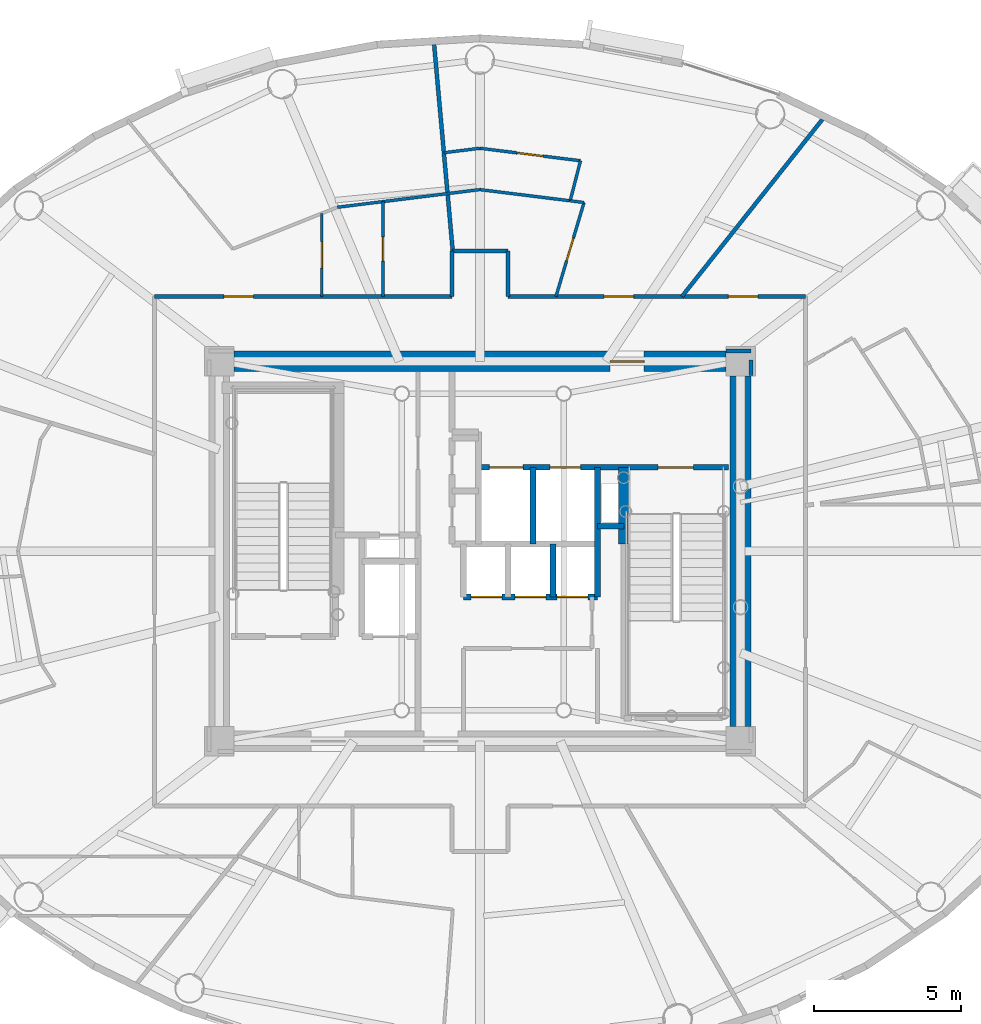
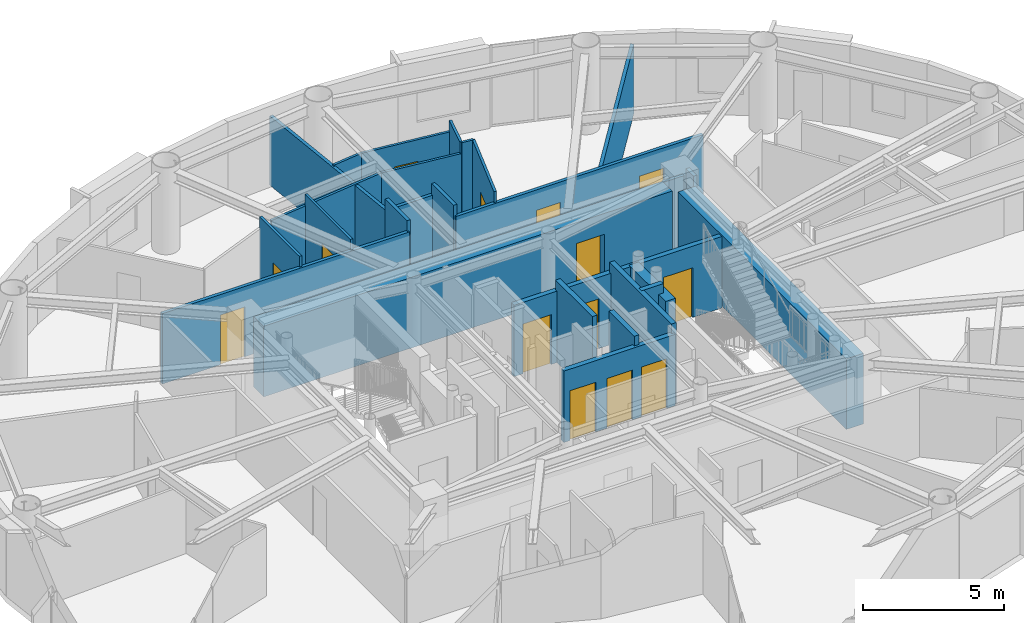
# One storey, part 8 of 17: 27 walls, 14 doors, 14 openings.
"""IFC4 building model written with IfcOpenShell, lengths in metres."""

from ifc_helpers import new_model, si_unit, direction, frame, frame_2d, origin, origin_2d, place, context, subcontext, project, spatial, rectangle, extrude, source, transform, mapped, material, layer, layer_set, type_object, element, fill, save


model = new_model("IFC4")

# Units and contexts
model_context = context("Model", 3, precision=1e-05, world=origin(), true_north=direction((0.0, 1.0)))
body_context = subcontext(model_context, "Body", "Model", "MODEL_VIEW")
ifc_project = project(units=[si_unit("LENGTHUNIT", "METRE"), si_unit("AREAUNIT", "SQUARE_METRE"), si_unit("VOLUMEUNIT", "CUBIC_METRE"), si_unit("PLANEANGLEUNIT", "RADIAN"), si_unit("MASSUNIT", "GRAM", prefix="KILO")], contexts=[model_context])

# Site, building, storey
site_placement = place(None, origin())
site = spatial("IfcSite", under=ifc_project, at=site_placement, CompositionType="ELEMENT")
building_placement = place(site_placement, origin())
building = spatial("IfcBuilding", under=site, at=building_placement, Name="Linh Dai School and Residence Tower", CompositionType="ELEMENT")
storey_placement = place(building_placement, frame((0.0, 0.0, 276.75)))
storey = spatial("IfcBuildingStorey", under=building, at=storey_placement, Name="L68", CompositionType="ELEMENT", Elevation=276.75)

# Wall, opening, door
ifc_material_1 = material(Name="Autoclaved Aerated Concrete Blockwork", Category="masonry")
ifc_layer_1 = layer(ifc_material_1, 0.135009765625)
ifc_layer_set_1 = layer_set([ifc_layer_1], Name="Autoclaved Aerated Concrete Blockwork")
wall_type_1 = type_object("IfcWallType", Name="IW-CORR-135-EI90", PredefinedType="PARTITIONING", material=ifc_layer_set_1)
wall_1_placement = place(storey_placement, frame((24.949951171875, 35.64990234375, 0.0), z_axis=(0.0, 0.0, 1.0), x_axis=(1.0, 0.0, 0.0)))
wall_1 = element("IfcWall", 1, at=wall_1_placement, inside=storey, type_object=wall_type_1, Name="L68 Interior Partition Wall 015", PredefinedType="PARTITIONING", context=body_context, shape_type="SweptSolid", body=[
    extrude(rectangle(XDim=10.10009765625, YDim=0.135009765625, at=frame_2d((5.050048828125, 0.0))), origin(), (0.0, 0.0, 1.0), 3.034912109375),
])
opening_1_placement = place(wall_1_placement, frame((2.361572265625, 0.0, 0.0)))
opening_1 = element("IfcOpeningElement", 2, at=opening_1_placement, cuts=wall_1, Name="Opening D03", PredefinedType="OPENING", context=body_context, shape_type="SweptSolid", body=[
    extrude(rectangle(XDim=1.0, YDim=2.14990234375, at=origin_2d()), frame((0.5, 0.07763671875, 1.074951171875), z_axis=(0.0, -1.0, 0.0), x_axis=(1.0, 0.0, 0.0)), (0.0, 0.0, 1.0), 0.155029296875),
])
ifc_material_2 = material(Name="Fire-Rated Solid Timber Entrance Door", Category="wood")
door_type_1 = type_object("IfcDoorType", Name="DR-FLAT-1000x2150-FD60S", OperationType="NOTDEFINED", PredefinedType="DOOR", material=ifc_material_2)
shared_shape_1 = source(origin(), body_context, "Body", "SweptSolid", [
    extrude(rectangle(XDim=1.0, YDim=2.14990234375, at=origin_2d()), frame((0.5, 0.02490234375, 1.074951171875), z_axis=(0.0, -1.0, 0.0), x_axis=(1.0, 0.0, 0.0)), (0.0, 0.0, 1.0), 0.050048828125),
])
door_1_placement = place(opening_1_placement, origin())
door_1 = element("IfcDoor", 3, at=door_1_placement, inside=storey, type_object=door_type_1, Name="L68 U6803 Apartment Entrance Door", OperationType="SINGLE_SWING_RIGHT", OverallHeight=2.14990234375, OverallWidth=1.0, PredefinedType="DOOR", context=body_context, shape_type="MappedRepresentation", body=[
    mapped(shared_shape_1, transform((0.0, 0.0, 0.0), x_axis=(1.0, 0.0, 0.0), y_axis=(0.0, 1.0, 0.0), z_axis=(0.0, 0.0, 1.0), scale=1.0)),
])
fill(opening_1, door_1)

# Walls
wall_2_placement = place(storey_placement, frame((34.436279296875, 44.32373046875, 0.0), z_axis=(0.0, 0.0, 1.0), x_axis=(0.089904837352, -0.99595036032, 0.0)))
element("IfcWall", 4, at=wall_2_placement, inside=storey, type_object=wall_type_1, Name="L68 Interior Partition Wall 032", PredefinedType="PARTITIONING", context=body_context, shape_type="SweptSolid", body=[
    extrude(rectangle(XDim=7.15283203125, YDim=0.135009765625, at=frame_2d((3.576416015625, 0.0))), origin(), (0.0, 0.0, 1.0), 2.985107421875),
])
wall_3_placement = place(storey_placement, frame((35.050048828125, 35.64990234375, 0.0), z_axis=(0.0, 0.0, 1.0), x_axis=(0.0, 1.0, 0.0)))
element("IfcWall", 5, at=wall_3_placement, inside=storey, type_object=wall_type_1, Name="L68 Interior Partition Wall 043", PredefinedType="PARTITIONING", context=body_context, shape_type="SweptSolid", body=[
    extrude(rectangle(XDim=1.550048828125, YDim=0.135009765625, at=frame_2d((0.77490234375, 0.0))), origin(), (0.0, 0.0, 1.0), 3.5),
])
wall_4_placement = place(storey_placement, frame((35.079345703125, 37.199951171875, 0.0), z_axis=(0.0, 0.0, 1.0), x_axis=(1.0, 0.0, 0.0)))
element("IfcWall", 6, at=wall_4_placement, inside=storey, type_object=wall_type_1, Name="L68 Interior Partition Wall 044", PredefinedType="PARTITIONING", context=body_context, shape_type="SweptSolid", body=[
    extrude(rectangle(XDim=1.87060546875, YDim=0.135009765625, at=frame_2d((0.935302734375, 0.0))), origin(), (0.0, 0.0, 1.0), 3.034912109375),
])
wall_5_placement = place(storey_placement, frame((36.949951171875, 35.64990234375, 0.0), z_axis=(0.0, 0.0, 1.0), x_axis=(0.0, 1.0, 0.0)))
element("IfcWall", 7, at=wall_5_placement, inside=storey, type_object=wall_type_1, Name="L68 Interior Partition Wall 055", PredefinedType="PARTITIONING", context=body_context, shape_type="SweptSolid", body=[
    extrude(rectangle(XDim=1.550048828125, YDim=0.135009765625, at=frame_2d((0.77490234375, 0.0))), origin(), (0.0, 0.0, 1.0), 3.5),
])

# Wall, openings, doors
wall_6_placement = place(storey_placement, frame((36.949951171875, 35.64990234375, 0.0), z_axis=(0.0, 0.0, 1.0), x_axis=(1.0, 0.0, 0.0)))
wall_6 = element("IfcWall", 8, at=wall_6_placement, inside=storey, type_object=wall_type_1, Name="L68 Interior Partition Wall 056", PredefinedType="PARTITIONING", context=body_context, shape_type="SweptSolid", body=[
    extrude(rectangle(XDim=10.10009765625, YDim=0.135009765625, at=frame_2d((5.050048828125, 0.0))), origin(), (0.0, 0.0, 1.0), 3.034912109375),
])
opening_2_placement = place(wall_6_placement, frame((7.485595703125, 0.0, 0.0)))
opening_2 = element("IfcOpeningElement", 9, at=opening_2_placement, cuts=wall_6, Name="Opening D03", PredefinedType="OPENING", context=body_context, shape_type="SweptSolid", body=[
    extrude(rectangle(XDim=1.0, YDim=2.14990234375, at=origin_2d()), frame((0.5, 0.07763671875, 1.074951171875), z_axis=(0.0, -1.0, 0.0), x_axis=(1.0, 0.0, 0.0)), (0.0, 0.0, 1.0), 0.155029296875),
])
opening_3_placement = place(wall_6_placement, frame((3.2724609375, 0.0, 0.0)))
opening_3 = element("IfcOpeningElement", 10, at=opening_3_placement, cuts=wall_6, Name="Opening D03", PredefinedType="OPENING", context=body_context, shape_type="SweptSolid", body=[
    extrude(rectangle(XDim=1.0, YDim=2.14990234375, at=origin_2d()), frame((0.5, 0.07763671875, 1.074951171875), z_axis=(0.0, -1.0, 0.0), x_axis=(1.0, 0.0, 0.0)), (0.0, 0.0, 1.0), 0.155029296875),
])
door_2_placement = place(opening_2_placement, origin())
door_2 = element("IfcDoor", 11, at=door_2_placement, inside=storey, type_object=door_type_1, Name="L68 U6801 Apartment Entrance Door", OperationType="SINGLE_SWING_RIGHT", OverallHeight=2.14990234375, OverallWidth=1.0, PredefinedType="DOOR", context=body_context, shape_type="MappedRepresentation", body=[
    mapped(shared_shape_1, transform((0.0, 0.0, 0.0), x_axis=(1.0, 0.0, 0.0), y_axis=(0.0, 1.0, 0.0), z_axis=(0.0, 0.0, 1.0), scale=1.0)),
])
fill(opening_2, door_2)
door_3_placement = place(opening_3_placement, origin())
door_3 = element("IfcDoor", 12, at=door_3_placement, inside=storey, type_object=door_type_1, Name="L68 U6802 Apartment Entrance Door", OperationType="SINGLE_SWING_LEFT", OverallHeight=2.14990234375, OverallWidth=1.0, PredefinedType="DOOR", context=body_context, shape_type="MappedRepresentation", body=[
    mapped(shared_shape_1, transform((0.0, 0.0, 0.0), x_axis=(1.0, 0.0, 0.0), y_axis=(0.0, 1.0, 0.0), z_axis=(0.0, 0.0, 1.0), scale=1.0)),
])
fill(opening_3, door_3)

# Walls
wall_7_placement = place(storey_placement, frame((42.861083984375, 35.64990234375, 0.0), z_axis=(0.0, 0.0, 1.0), x_axis=(0.621439784824, 0.783461928774, 0.0)))
element("IfcWall", 13, at=wall_7_placement, inside=storey, type_object=wall_type_1, Name="L68 Interior Partition Wall 069", PredefinedType="PARTITIONING", context=body_context, shape_type="SweptSolid", body=[
    extrude(rectangle(XDim=7.79638671875, YDim=0.135009765625, at=frame_2d((3.898193359375, 0.0))), origin(), (0.0, 0.0, 1.0), 2.985107421875),
])
wall_8_placement = place(storey_placement, frame((45.199951171875, 33.800048828125, 0.0), z_axis=(0.0, 0.0, 1.0), x_axis=(-1.0, 0.0, 0.0)))
element("IfcWall", 14, at=wall_8_placement, inside=storey, type_object=wall_type_1, Name="L68 Interior Partition Wall 087", PredefinedType="PARTITIONING", context=body_context, shape_type="SweptSolid", body=[
    extrude(rectangle(XDim=0.83984375, YDim=0.135009765625, at=frame_2d((0.419921875, 0.0))), origin(), (0.0, 0.0, 1.0), 3.034912109375),
])
wall_9_placement = place(storey_placement, frame((45.199951171875, 32.9599609375, 0.0), z_axis=(0.0, 0.0, 1.0), x_axis=(0.0, 1.0, 0.0)))
element("IfcWall", 15, at=wall_9_placement, inside=storey, type_object=wall_type_1, Name="L68 Interior Partition Wall 094", PredefinedType="PARTITIONING", context=body_context, shape_type="SweptSolid", body=[
    extrude(rectangle(XDim=0.532470703125, YDim=0.135009765625, at=frame_2d((0.26611328125, 0.0))), origin(), (0.0, 0.0, 1.0), 3.5),
])

# Wall, openings, doors
ifc_material_3 = material(Name="Concrete B45 (C35/45)", Category="concrete")
ifc_layer_2 = layer(ifc_material_3, 0.199951171875)
ifc_layer_set_2 = layer_set([ifc_layer_2], Name="Concrete B45 (C35/45)")
wall_type_2 = type_object("IfcWallType", Name="IW-SHAFT-200-EI120", PredefinedType="PARTITIONING", material=ifc_layer_set_2)
wall_10_placement = place(storey_placement, frame((35.449951171875, 25.449951171875, 0.0), z_axis=(0.0, 0.0, 1.0), x_axis=(1.0, 0.0, 0.0)))
wall_10 = element("IfcWall", 16, at=wall_10_placement, inside=storey, type_object=wall_type_2, Name="L68 Interior Partition Wall 048", PredefinedType="PARTITIONING", context=body_context, shape_type="SweptSolid", body=[
    extrude(rectangle(XDim=4.550048828125, YDim=0.199951171875, at=frame_2d((2.27490234375, 0.0))), origin(), (0.0, 0.0, 1.0), 3.0849609375),
])
opening_4_placement = place(wall_10_placement, frame((0.25, 0.0, 0.0)))
opening_4 = element("IfcOpeningElement", 17, at=opening_4_placement, cuts=wall_10, Name="Opening LD-PL7", PredefinedType="OPENING", context=body_context, shape_type="SweptSolid", body=[
    extrude(rectangle(XDim=1.050048828125, YDim=2.14990234375, at=origin_2d()), frame((0.52490234375, 0.10986328125, 1.074951171875), z_axis=(0.0, -1.0, 0.0), x_axis=(1.0, 0.0, 0.0)), (0.0, 0.0, 1.0), 0.219970703125),
])
opening_5_placement = place(wall_10_placement, frame((1.7451171875, 0.0, 0.0)))
opening_5 = element("IfcOpeningElement", 18, at=opening_5_placement, cuts=wall_10, Name="Opening LD-PL8", PredefinedType="OPENING", context=body_context, shape_type="SweptSolid", body=[
    extrude(rectangle(XDim=1.050048828125, YDim=2.14990234375, at=origin_2d()), frame((0.52490234375, 0.10986328125, 1.074951171875), z_axis=(0.0, -1.0, 0.0), x_axis=(1.0, 0.0, 0.0)), (0.0, 0.0, 1.0), 0.219970703125),
])
opening_6_placement = place(wall_10_placement, frame((3.1650390625, 0.0, 0.0)))
opening_6 = element("IfcOpeningElement", 19, at=opening_6_placement, cuts=wall_10, Name="Opening LD-PL9", PredefinedType="OPENING", context=body_context, shape_type="SweptSolid", body=[
    extrude(rectangle(XDim=1.050048828125, YDim=2.14990234375, at=origin_2d()), frame((0.52490234375, 0.10986328125, 1.074951171875), z_axis=(0.0, -1.0, 0.0), x_axis=(1.0, 0.0, 0.0)), (0.0, 0.0, 1.0), 0.219970703125),
])
ifc_material_4 = material(Name="Brushed Stainless Steel Lift Landing Door", Category="steel")
door_type_2 = type_object("IfcDoorType", Name="DR-LD-PASS-1050x2150", OperationType="DOUBLE_DOOR_SLIDING", PredefinedType="USERDEFINED", material=ifc_material_4)
shared_shape_2 = source(origin(), body_context, "Body", "SweptSolid", [
    extrude(rectangle(XDim=1.050048828125, YDim=2.14990234375, at=origin_2d()), frame((0.52490234375, 0.02490234375, 1.074951171875), z_axis=(0.0, -1.0, 0.0), x_axis=(1.0, 0.0, 0.0)), (0.0, 0.0, 1.0), 0.050048828125),
])
door_4_placement = place(opening_4_placement, origin())
door_4 = element("IfcDoor", 20, at=door_4_placement, inside=storey, type_object=door_type_2, Name="L68 Lift PL7 Sliding Landing Door", ObjectType="LANDING DOOR", OperationType="DOUBLE_DOOR_SLIDING", OverallHeight=2.14990234375, OverallWidth=1.050048828125, PredefinedType="USERDEFINED", context=body_context, shape_type="MappedRepresentation", body=[
    mapped(shared_shape_2, transform((0.0, 0.0, 0.0), x_axis=(1.0, 0.0, 0.0), y_axis=(0.0, 1.0, 0.0), z_axis=(0.0, 0.0, 1.0), scale=1.0)),
])
fill(opening_4, door_4)
door_5_placement = place(opening_5_placement, origin())
door_5 = element("IfcDoor", 21, at=door_5_placement, inside=storey, type_object=door_type_2, Name="L68 Lift PL8 Sliding Landing Door", ObjectType="LANDING DOOR", OperationType="DOUBLE_DOOR_SLIDING", OverallHeight=2.14990234375, OverallWidth=1.050048828125, PredefinedType="USERDEFINED", context=body_context, shape_type="MappedRepresentation", body=[
    mapped(shared_shape_2, transform((0.0, 0.0, 0.0), x_axis=(1.0, 0.0, 0.0), y_axis=(0.0, 1.0, 0.0), z_axis=(0.0, 0.0, 1.0), scale=1.0)),
])
fill(opening_5, door_5)
door_6_placement = place(opening_6_placement, origin())
door_6 = element("IfcDoor", 22, at=door_6_placement, inside=storey, type_object=door_type_2, Name="L68 Lift PL9 Sliding Landing Door", ObjectType="LANDING DOOR", OperationType="DOUBLE_DOOR_SLIDING", OverallHeight=2.14990234375, OverallWidth=1.050048828125, PredefinedType="USERDEFINED", context=body_context, shape_type="MappedRepresentation", body=[
    mapped(shared_shape_2, transform((0.0, 0.0, 0.0), x_axis=(1.0, 0.0, 0.0), y_axis=(0.0, 1.0, 0.0), z_axis=(0.0, 0.0, 1.0), scale=1.0)),
])
fill(opening_6, door_6)

wall_11_placement = place(storey_placement, frame((35.949951171875, 29.85009765625, 0.0), z_axis=(0.0, 0.0, 1.0), x_axis=(1.0, 0.0, 0.0)))
wall_11 = element("IfcWall", 23, at=wall_11_placement, inside=storey, type_object=wall_type_2, Name="L68 Interior Partition Wall 050", PredefinedType="PARTITIONING", context=body_context, shape_type="SweptSolid", body=[
    extrude(rectangle(XDim=8.489990234375, YDim=0.199951171875, at=frame_2d((4.2451171875, 0.0))), origin(), (0.0, 0.0, 1.0), 3.0849609375),
])
opening_7_placement = place(wall_11_placement, frame((6.10009765625, 0.0, 0.0)))
opening_7 = element("IfcOpeningElement", 24, at=opening_7_placement, cuts=wall_11, Name="Opening D01", PredefinedType="OPENING", context=body_context, shape_type="SweptSolid", body=[
    extrude(rectangle(XDim=1.199951171875, YDim=2.14990234375, at=origin_2d()), frame((0.60009765625, 0.10986328125, 1.074951171875), z_axis=(0.0, -1.0, 0.0), x_axis=(1.0, 0.0, 0.0)), (0.0, 0.0, 1.0), 0.219970703125),
])
opening_8_placement = place(wall_11_placement, frame((0.3701171875, 0.0, 0.0)))
opening_8 = element("IfcOpeningElement", 25, at=opening_8_placement, cuts=wall_11, Name="Opening LD-FF1", PredefinedType="OPENING", context=body_context, shape_type="SweptSolid", body=[
    extrude(rectangle(XDim=1.14990234375, YDim=2.14990234375, at=origin_2d()), frame((0.574951171875, 0.10986328125, 1.074951171875), z_axis=(0.0, -1.0, 0.0), x_axis=(1.0, 0.0, 0.0)), (0.0, 0.0, 1.0), 0.219970703125),
])
opening_9_placement = place(wall_11_placement, frame((2.425048828125, 0.0, 0.0)))
opening_9 = element("IfcOpeningElement", 26, at=opening_9_placement, cuts=wall_11, Name="Opening LD-SV1", PredefinedType="OPENING", context=body_context, shape_type="SweptSolid", body=[
    extrude(rectangle(XDim=1.050048828125, YDim=2.14990234375, at=origin_2d()), frame((0.52490234375, 0.10986328125, 1.074951171875), z_axis=(0.0, -1.0, 0.0), x_axis=(1.0, 0.0, 0.0)), (0.0, 0.0, 1.0), 0.219970703125),
])
ifc_material_5 = material(Name="Fire-Rated Steel Door Leaf", Category="steel")
door_type_3 = type_object("IfcDoorType", Name="DR-STAIR-1200x2150-FD90S", OperationType="NOTDEFINED", PredefinedType="DOOR", material=ifc_material_5)
shared_shape_3 = source(origin(), body_context, "Body", "SweptSolid", [
    extrude(rectangle(XDim=1.199951171875, YDim=2.14990234375, at=origin_2d()), frame((0.60009765625, 0.02490234375, 1.074951171875), z_axis=(0.0, -1.0, 0.0), x_axis=(1.0, 0.0, 0.0)), (0.0, 0.0, 1.0), 0.050048828125),
])
door_7_placement = place(opening_7_placement, origin())
door_7 = element("IfcDoor", 27, at=door_7_placement, inside=storey, type_object=door_type_3, Name="L68 Core Smokeproof Exit Stair ST2 Door", OperationType="SINGLE_SWING_LEFT", OverallHeight=2.14990234375, OverallWidth=1.199951171875, PredefinedType="DOOR", context=body_context, shape_type="MappedRepresentation", body=[
    mapped(shared_shape_3, transform((0.0, 0.0, 0.0), x_axis=(1.0, 0.0, 0.0), y_axis=(0.0, 1.0, 0.0), z_axis=(0.0, 0.0, 1.0), scale=1.0)),
])
fill(opening_7, door_7)
ifc_material_6 = material(Name="Fire-Rated Stainless Steel Firefighting Lift Door", Category="steel")
door_type_4 = type_object("IfcDoorType", Name="DR-LD-FF-1150x2150-FD120", OperationType="DOUBLE_DOOR_SLIDING", PredefinedType="USERDEFINED", material=ifc_material_6)
shared_shape_4 = source(origin(), body_context, "Body", "SweptSolid", [
    extrude(rectangle(XDim=1.14990234375, YDim=2.14990234375, at=origin_2d()), frame((0.574951171875, 0.02490234375, 1.074951171875), z_axis=(0.0, -1.0, 0.0), x_axis=(1.0, 0.0, 0.0)), (0.0, 0.0, 1.0), 0.050048828125),
])
door_8_placement = place(opening_8_placement, origin())
door_8 = element("IfcDoor", 28, at=door_8_placement, inside=storey, type_object=door_type_4, Name="L68 Lift FF1 Sliding Landing Door", ObjectType="LANDING DOOR", OperationType="DOUBLE_DOOR_SLIDING", OverallHeight=2.14990234375, OverallWidth=1.14990234375, PredefinedType="USERDEFINED", context=body_context, shape_type="MappedRepresentation", body=[
    mapped(shared_shape_4, transform((0.0, 0.0, 0.0), x_axis=(1.0, 0.0, 0.0), y_axis=(0.0, 1.0, 0.0), z_axis=(0.0, 0.0, 1.0), scale=1.0)),
])
fill(opening_8, door_8)
door_9_placement = place(opening_9_placement, origin())
door_9 = element("IfcDoor", 29, at=door_9_placement, inside=storey, type_object=door_type_2, Name="L68 Lift SV1 Sliding Landing Door", ObjectType="LANDING DOOR", OperationType="DOUBLE_DOOR_SLIDING", OverallHeight=2.14990234375, OverallWidth=1.050048828125, PredefinedType="USERDEFINED", context=body_context, shape_type="MappedRepresentation", body=[
    mapped(shared_shape_2, transform((0.0, 0.0, 0.0), x_axis=(1.0, 0.0, 0.0), y_axis=(0.0, 1.0, 0.0), z_axis=(0.0, 0.0, 1.0), scale=1.0)),
])
fill(opening_9, door_9)

# Walls
wall_12_placement = place(storey_placement, frame((37.800048828125, 27.25, 0.0), z_axis=(0.0, 0.0, 1.0), x_axis=(0.0, 1.0, 0.0)))
element("IfcWall", 30, at=wall_12_placement, inside=storey, type_object=wall_type_2, Name="L68 Interior Partition Wall 058", PredefinedType="PARTITIONING", context=body_context, shape_type="SweptSolid", body=[
    extrude(rectangle(XDim=2.60009765625, YDim=0.199951171875, at=frame_2d((1.300048828125, 0.0))), origin(), (0.0, 0.0, 1.0), 3.5),
])
wall_13_placement = place(storey_placement, frame((38.47998046875, 25.449951171875, 0.0), z_axis=(0.0, 0.0, 1.0), x_axis=(0.0, 1.0, 0.0)))
element("IfcWall", 31, at=wall_13_placement, inside=storey, type_object=wall_type_2, Name="L68 Interior Partition Wall 059", PredefinedType="PARTITIONING", context=body_context, shape_type="SweptSolid", body=[
    extrude(rectangle(XDim=1.800048828125, YDim=0.199951171875, at=frame_2d((0.89990234375, 0.0))), origin(), (0.0, 0.0, 1.0), 3.5),
])
wall_14_placement = place(storey_placement, frame((40.0, 25.449951171875, 0.0), z_axis=(0.0, 0.0, 1.0), x_axis=(0.0, 1.0, 0.0)))
element("IfcWall", 32, at=wall_14_placement, inside=storey, type_object=wall_type_2, Name="L68 Interior Partition Wall 064", PredefinedType="PARTITIONING", context=body_context, shape_type="SweptSolid", body=[
    extrude(rectangle(XDim=4.400146484375, YDim=0.199951171875, at=frame_2d((2.2001953125, 0.0))), origin(), (0.0, 0.0, 1.0), 3.5),
])
wall_15_placement = place(storey_placement, frame((40.0, 27.85009765625, 0.0), z_axis=(0.0, 0.0, 1.0), x_axis=(1.0, 0.0, 0.0)))
element("IfcWall", 33, at=wall_15_placement, inside=storey, type_object=wall_type_2, Name="L68 Interior Partition Wall 065", PredefinedType="PARTITIONING", context=body_context, shape_type="SweptSolid", body=[
    extrude(rectangle(XDim=0.89990234375, YDim=0.199951171875, at=frame_2d((0.449951171875, 0.0))), origin(), (0.0, 0.0, 1.0), 3.5),
])

# Wall, opening, door
ifc_material_7 = material(Name="Gypsum Plasterboard Acoustic Stud Partition", Category="masonry")
ifc_layer_3 = layer(ifc_material_7, 0.10009765625)
ifc_layer_set_3 = layer_set([ifc_layer_3], Name="Gypsum Plasterboard Acoustic Stud Partition")
wall_type_3 = type_object("IfcWallType", Name="IW-UNIT-100", PredefinedType="PARTITIONING", material=ifc_layer_set_3)
wall_16_placement = place(storey_placement, frame((30.633056640625, 35.64990234375, 0.0), z_axis=(0.0, 0.0, 1.0), x_axis=(0.0, 1.0, 0.0)))
wall_16 = element("IfcWall", 34, at=wall_16_placement, inside=storey, type_object=wall_type_3, Name="L68 Interior Partition Wall 020", PredefinedType="PARTITIONING", context=body_context, shape_type="SweptSolid", body=[
    extrude(rectangle(XDim=2.819091796875, YDim=0.10009765625, at=frame_2d((1.40966796875, 0.0))), origin(), (0.0, 0.0, 1.0), 3.5),
])
opening_10_placement = place(wall_16_placement, frame((0.95947265625, 0.0, 0.0)))
opening_10 = element("IfcOpeningElement", 35, at=opening_10_placement, cuts=wall_16, Name="Opening D05", PredefinedType="OPENING", context=body_context, shape_type="SweptSolid", body=[
    extrude(rectangle(XDim=0.89990234375, YDim=2.10009765625, at=origin_2d()), frame((0.449951171875, 0.06005859375, 1.050048828125), z_axis=(0.0, -1.0, 0.0), x_axis=(1.0, 0.0, 0.0)), (0.0, 0.0, 1.0), 0.1201171875),
])
ifc_material_8 = material(Name="Engineered Timber Internal Door", Category="wood")
door_type_5 = type_object("IfcDoorType", Name="DR-INT-900x2100", OperationType="NOTDEFINED", PredefinedType="DOOR", material=ifc_material_8)
shared_shape_5 = source(origin(), body_context, "Body", "SweptSolid", [
    extrude(rectangle(XDim=0.89990234375, YDim=2.10009765625, at=origin_2d()), frame((0.449951171875, 0.02490234375, 1.050048828125), z_axis=(0.0, -1.0, 0.0), x_axis=(1.0, 0.0, 0.0)), (0.0, 0.0, 1.0), 0.050048828125),
])
door_10_placement = place(opening_10_placement, origin())
door_10 = element("IfcDoor", 36, at=door_10_placement, inside=storey, type_object=door_type_5, Name="L68 Apartment U6803 Kitchen Door", OperationType="SINGLE_SWING_RIGHT", OverallHeight=2.10009765625, OverallWidth=0.89990234375, PredefinedType="DOOR", context=body_context, shape_type="MappedRepresentation", body=[
    mapped(shared_shape_5, transform((0.0, 0.0, 0.0), x_axis=(1.0, 0.0, 0.0), y_axis=(0.0, 1.0, 0.0), z_axis=(0.0, 0.0, 1.0), scale=1.0)),
])
fill(opening_10, door_10)

# Wall
wall_17_placement = place(storey_placement, frame((31.154541015625, 38.677001953125, 0.0), z_axis=(0.0, 0.0, 1.0), x_axis=(0.99239360053, 0.123105408601, 0.0)))
element("IfcWall", 37, at=wall_17_placement, inside=storey, type_object=wall_type_3, Name="L68 Interior Partition Wall 024", PredefinedType="PARTITIONING", context=body_context, shape_type="SweptSolid", body=[
    extrude(rectangle(XDim=4.882568359375, YDim=0.10009765625, at=frame_2d((2.44140625, 0.0))), origin(), (0.0, 0.0, 1.0), 3.034912109375),
])

# Wall, opening, door
wall_18_placement = place(storey_placement, frame((32.714111328125, 35.64990234375, 0.0), z_axis=(0.0, 0.0, 1.0), x_axis=(0.0, 1.0, 0.0)))
wall_18 = element("IfcWall", 38, at=wall_18_placement, inside=storey, type_object=wall_type_3, Name="L68 Interior Partition Wall 029", PredefinedType="PARTITIONING", context=body_context, shape_type="SweptSolid", body=[
    extrude(rectangle(XDim=3.220703125, YDim=0.10009765625, at=frame_2d((1.6103515625, 0.0))), origin(), (0.0, 0.0, 1.0), 3.5),
])
opening_11_placement = place(wall_18_placement, frame((1.2001953125, 0.0, 0.0)))
opening_11 = element("IfcOpeningElement", 39, at=opening_11_placement, cuts=wall_18, Name="Opening D06", PredefinedType="OPENING", context=body_context, shape_type="SweptSolid", body=[
    extrude(rectangle(XDim=0.820068359375, YDim=2.10009765625, at=origin_2d()), frame((0.41015625, 0.06005859375, 1.050048828125), z_axis=(0.0, -1.0, 0.0), x_axis=(1.0, 0.0, 0.0)), (0.0, 0.0, 1.0), 0.1201171875),
])
ifc_material_9 = material(Name="Moisture-Resistant Timber Bathroom Door", Category="wood")
door_type_6 = type_object("IfcDoorType", Name="DR-WET-820x2100", OperationType="NOTDEFINED", PredefinedType="DOOR", material=ifc_material_9)
shared_shape_6 = source(origin(), body_context, "Body", "SweptSolid", [
    extrude(rectangle(XDim=0.820068359375, YDim=2.10009765625, at=origin_2d()), frame((0.41015625, 0.02490234375, 1.050048828125), z_axis=(0.0, -1.0, 0.0), x_axis=(1.0, 0.0, 0.0)), (0.0, 0.0, 1.0), 0.050048828125),
])
door_11_placement = place(opening_11_placement, origin())
door_11 = element("IfcDoor", 40, at=door_11_placement, inside=storey, type_object=door_type_6, Name="L68 Apartment U6803 Bathroom 1 Door", OperationType="SINGLE_SWING_LEFT", OverallHeight=2.10009765625, OverallWidth=0.820068359375, PredefinedType="DOOR", context=body_context, shape_type="MappedRepresentation", body=[
    mapped(shared_shape_6, transform((0.0, 0.0, 0.0), x_axis=(1.0, 0.0, 0.0), y_axis=(0.0, 1.0, 0.0), z_axis=(0.0, 0.0, 1.0), scale=1.0)),
])
fill(opening_11, door_11)

# Walls
wall_19_placement = place(storey_placement, frame((34.77880859375, 40.52978515625, 0.0), z_axis=(0.0, 0.0, 1.0), x_axis=(0.992405544762, 0.123009083917, 0.0)))
element("IfcWall", 41, at=wall_19_placement, inside=storey, type_object=wall_type_3, Name="L68 Interior Partition Wall 034", PredefinedType="PARTITIONING", context=body_context, shape_type="SweptSolid", body=[
    extrude(rectangle(XDim=1.23046875, YDim=0.10009765625, at=frame_2d((0.615234375, 0.0))), origin(), (0.0, 0.0, 1.0), 3.034912109375),
])
wall_20_placement = place(storey_placement, frame((36.0, 39.278076171875, 0.0), z_axis=(0.0, 0.0, 1.0), x_axis=(0.992394132602, -0.123101119315, 0.0)))
element("IfcWall", 42, at=wall_20_placement, inside=storey, type_object=wall_type_3, Name="L68 Interior Partition Wall 051", PredefinedType="PARTITIONING", context=body_context, shape_type="SweptSolid", body=[
    extrude(rectangle(XDim=3.08984375, YDim=0.10009765625, at=frame_2d((1.544921875, 0.0))), origin(), (0.0, 0.0, 1.0), 3.034912109375),
])

# Wall, opening, door
wall_21_placement = place(storey_placement, frame((36.0, 40.68115234375, 0.0), z_axis=(0.0, 0.0, 1.0), x_axis=(0.992395241541, -0.123092179145, 0.0)))
wall_21 = element("IfcWall", 43, at=wall_21_placement, inside=storey, type_object=wall_type_3, Name="L68 Interior Partition Wall 052", PredefinedType="PARTITIONING", context=body_context, shape_type="SweptSolid", body=[
    extrude(rectangle(XDim=3.443115234375, YDim=0.10009765625, at=frame_2d((1.7216796875, 0.0))), origin(), (0.0, 0.0, 1.0), 3.034912109375),
])
opening_12_placement = place(wall_21_placement, frame((1.271484375, 0.0, 0.0)))
opening_12 = element("IfcOpeningElement", 44, at=opening_12_placement, cuts=wall_21, Name="Opening D05", PredefinedType="OPENING", context=body_context, shape_type="SweptSolid", body=[
    extrude(rectangle(XDim=0.89990234375, YDim=2.10009765625, at=origin_2d()), frame((0.449951171875, 0.06005859375, 1.050048828125), z_axis=(0.0, -1.0, 0.0), x_axis=(1.0, 0.0, 0.0)), (0.0, 0.0, 1.0), 0.1201171875),
])
door_12_placement = place(opening_12_placement, origin())
door_12 = element("IfcDoor", 45, at=door_12_placement, inside=storey, type_object=door_type_5, Name="L68 Apartment U6802 Kitchen Door", OperationType="SINGLE_SWING_LEFT", OverallHeight=2.10009765625, OverallWidth=0.89990234375, PredefinedType="DOOR", context=body_context, shape_type="MappedRepresentation", body=[
    mapped(shared_shape_5, transform((0.0, 0.0, 0.0), x_axis=(1.0, 0.0, 0.0), y_axis=(0.0, 1.0, 0.0), z_axis=(0.0, 0.0, 1.0), scale=1.0)),
])
fill(opening_12, door_12)

wall_22_placement = place(storey_placement, frame((38.583984375, 35.64990234375, 0.0), z_axis=(0.0, 0.0, 1.0), x_axis=(0.286190312746, 0.958172794902, 0.0)))
wall_22 = element("IfcWall", 46, at=wall_22_placement, inside=storey, type_object=wall_type_3, Name="L68 Interior Partition Wall 060", PredefinedType="PARTITIONING", context=body_context, shape_type="SweptSolid", body=[
    extrude(rectangle(XDim=3.32861328125, YDim=0.10009765625, at=frame_2d((1.664306640625, 0.0))), origin(), (0.0, 0.0, 1.0), 3.5),
])
opening_13_placement = place(wall_22_placement, frame((1.25439453125, 0.0, 0.0)))
opening_13 = element("IfcOpeningElement", 47, at=opening_13_placement, cuts=wall_22, Name="Opening D06", PredefinedType="OPENING", context=body_context, shape_type="SweptSolid", body=[
    extrude(rectangle(XDim=0.820068359375, YDim=2.10009765625, at=origin_2d()), frame((0.41015625, 0.06005859375, 1.050048828125), z_axis=(0.0, -1.0, 0.0), x_axis=(1.0, 0.0, 0.0)), (0.0, 0.0, 1.0), 0.1201171875),
])
door_13_placement = place(opening_13_placement, origin())
door_13 = element("IfcDoor", 48, at=door_13_placement, inside=storey, type_object=door_type_6, Name="L68 Apartment U6802 Bathroom Door", OperationType="SINGLE_SWING_RIGHT", OverallHeight=2.10009765625, OverallWidth=0.820068359375, PredefinedType="DOOR", context=body_context, shape_type="MappedRepresentation", body=[
    mapped(shared_shape_6, transform((0.0, 0.0, 0.0), x_axis=(1.0, 0.0, 0.0), y_axis=(0.0, 1.0, 0.0), z_axis=(0.0, 0.0, 1.0), scale=1.0)),
])
fill(opening_13, door_13)

# Walls
wall_23_placement = place(storey_placement, frame((39.06640625, 38.897705078125, 0.0), z_axis=(0.0, 0.0, 1.0), x_axis=(0.249688699354, 0.968326160658, 0.0)))
element("IfcWall", 49, at=wall_23_placement, inside=storey, type_object=wall_type_3, Name="L68 Interior Partition Wall 061", PredefinedType="PARTITIONING", context=body_context, shape_type="SweptSolid", body=[
    extrude(rectangle(XDim=1.404052734375, YDim=0.10009765625, at=frame_2d((0.7021484375, 0.0))), origin(), (0.0, 0.0, 1.0), 3.5),
])
wall_24_placement = place(storey_placement, frame((39.076416015625, 38.896484375, 0.0), z_axis=(0.0, 0.0, 1.0), x_axis=(0.99238281179, -0.12319234905, 0.0)))
element("IfcWall", 50, at=wall_24_placement, inside=storey, type_object=wall_type_3, Name="L68 Interior Partition Wall 062", PredefinedType="PARTITIONING", context=body_context, shape_type="SweptSolid", body=[
    extrude(rectangle(XDim=0.463623046875, YDim=0.10009765625, at=frame_2d((0.23193359375, 0.0))), origin(), (0.0, 0.0, 1.0), 3.5),
])
ifc_layer_4 = layer(ifc_material_3, 0.39990234375)
ifc_layer_set_4 = layer_set([ifc_layer_4], Name="Concrete B45 (C35/45)")
wall_type_4 = type_object("IfcWallType", Name="WL-CORE400", PredefinedType="SHEAR", material=ifc_layer_set_4)
wall_25_placement = place(storey_placement, frame((40.89990234375, 27.25, 0.0), z_axis=(0.0, 0.0, 1.0), x_axis=(0.0, 1.0, 0.0)))
element("IfcWall", 51, at=wall_25_placement, inside=storey, type_object=wall_type_4, Name="L68 Internal Core Shear Wall IE", PredefinedType="SHEAR", context=body_context, shape_type="SweptSolid", body=[
    extrude(rectangle(XDim=2.60009765625, YDim=0.39990234375, at=frame_2d((1.300048828125, 0.0))), origin(), (0.0, 0.0, 1.0), 3.10009765625),
])

# Wall, opening, door
ifc_layer_5 = layer(ifc_material_3, 0.699951171875)
ifc_layer_set_5 = layer_set([ifc_layer_5], Name="Concrete B45 (C35/45)")
wall_type_5 = type_object("IfcWallType", Name="WL-CORE700", PredefinedType="SHEAR", material=ifc_layer_set_5)
wall_26_placement = place(storey_placement, frame((27.64990234375, 33.449951171875, 0.0), z_axis=(0.0, 0.0, 1.0), x_axis=(1.0, 0.0, 0.0)))
wall_26 = element("IfcWall", 52, at=wall_26_placement, inside=storey, type_object=wall_type_5, Name="L68 Central Core Shear Wall N", PredefinedType="SHEAR", context=body_context, shape_type="SweptSolid", body=[
    extrude(rectangle(XDim=16.7001953125, YDim=0.699951171875, at=frame_2d((8.35009765625, 0.0))), origin(), (0.0, 0.0, 1.0), 3.050048828125),
])
opening_14_placement = place(wall_26_placement, frame((12.77490234375, 0.0, 0.0)))
opening_14 = element("IfcOpeningElement", 53, at=opening_14_placement, cuts=wall_26, Name="Opening D02", PredefinedType="OPENING", context=body_context, shape_type="SweptSolid", body=[
    extrude(rectangle(XDim=1.14990234375, YDim=2.14990234375, at=origin_2d()), frame((0.574951171875, 0.35986328125, 1.074951171875), z_axis=(0.0, -1.0, 0.0), x_axis=(1.0, 0.0, 0.0)), (0.0, 0.0, 1.0), 0.719970703125),
])
ifc_material_10 = material(Name="Fire-Rated Glazed Steel Lobby Door", Category="steel")
door_type_7 = type_object("IfcDoorType", Name="DR-LOBBY-1150x2150-FD90S", OperationType="NOTDEFINED", PredefinedType="DOOR", material=ifc_material_10)
shared_shape_7 = source(origin(), body_context, "Body", "SweptSolid", [
    extrude(rectangle(XDim=1.14990234375, YDim=2.14990234375, at=origin_2d()), frame((0.574951171875, 0.02490234375, 1.074951171875), z_axis=(0.0, -1.0, 0.0), x_axis=(1.0, 0.0, 0.0)), (0.0, 0.0, 1.0), 0.050048828125),
])
door_14_placement = place(opening_14_placement, origin())
door_14 = element("IfcDoor", 54, at=door_14_placement, inside=storey, type_object=door_type_7, Name="L68 Firefighting Lobby Door", OperationType="SINGLE_SWING_RIGHT", OverallHeight=2.14990234375, OverallWidth=1.14990234375, PredefinedType="DOOR", context=body_context, shape_type="MappedRepresentation", body=[
    mapped(shared_shape_7, transform((0.0, 0.0, 0.0), x_axis=(1.0, 0.0, 0.0), y_axis=(0.0, 1.0, 0.0), z_axis=(0.0, 0.0, 1.0), scale=1.0)),
])
fill(opening_14, door_14)

# Wall
wall_27_placement = place(storey_placement, frame((44.85009765625, 32.949951171875, 0.0), z_axis=(0.0, 0.0, 1.0), x_axis=(0.0, -1.0, 0.0)))
element("IfcWall", 55, at=wall_27_placement, inside=storey, type_object=wall_type_5, Name="L68 Central Core Shear Wall E", PredefinedType="SHEAR", context=body_context, shape_type="SweptSolid", body=[
    extrude(rectangle(XDim=11.89990234375, YDim=0.699951171875, at=frame_2d((5.949951171875, 0.0))), origin(), (0.0, 0.0, 1.0), 3.050048828125),
])

save(model, "model.ifc")
